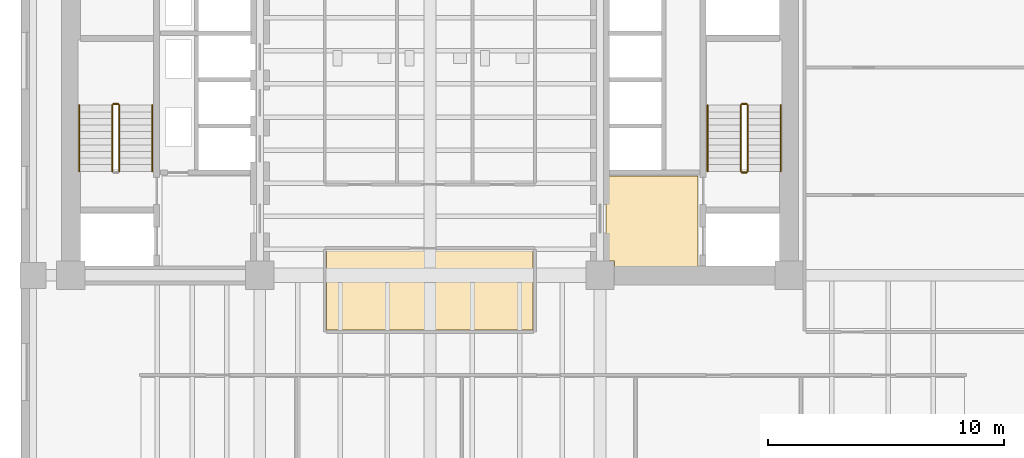
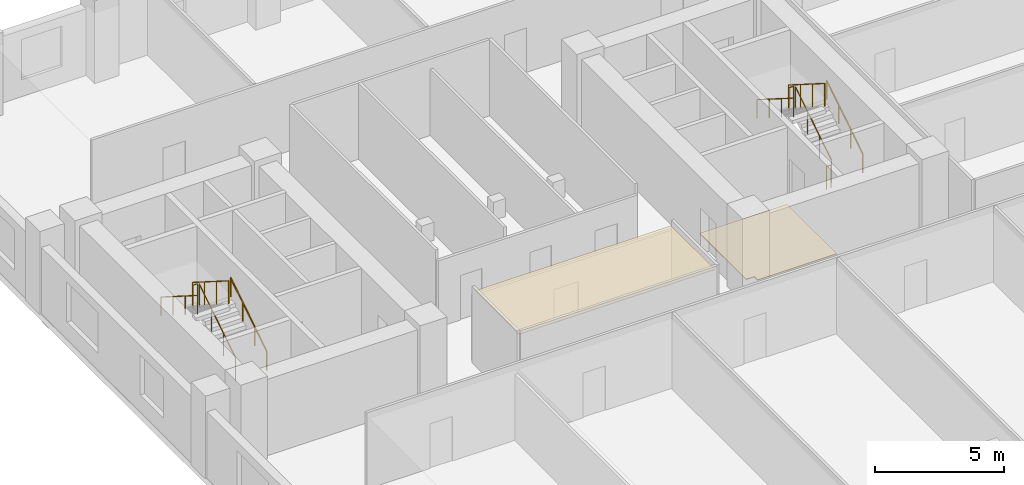
# One storey, part 7 of 9: 11 railings, 2 coverings.
"""IFC4 building model written with IfcOpenShell, lengths in metres."""

import ifcopenshell
import ifcopenshell.guid

model = None  # the IFC model being written
_history = None  # IfcOwnerHistory: only IFC2X3 demands one
_inside = {}  # id of a spatial element -> (the spatial element, [elements in it])
_under = {}  # id of a project, library or spatial element -> (it, [spatial elements below it])
_declared = {}  # id of a project -> (the project, [libraries it declares])
_typed = {}  # id of a type object -> (the type object, [elements of that type])
_made_of = {}  # id of a material, layer set ... -> (it, [elements and type objects made of it])


def new_model(schema):
    """Start an empty IFC model of exactly this schema.

    Asked for "IFC4X3", IfcOpenShell would pick the latest addendum, in which some entities
    have other attributes; the version numbers below select the first issue.
    IFC2X3 requires an IfcOwnerHistory on every rooted entity: one is made here for all.
    """
    global model, _history
    if schema == "IFC4X3":
        model = ifcopenshell.file(schema_version=(4, 3, 0, 0))
    else:
        model = ifcopenshell.file(schema=schema)
    _inside.clear()
    _under.clear()
    _declared.clear()
    _typed.clear()
    _made_of.clear()
    _history = None
    if model.schema == "IFC2X3":
        org = make("IfcOrganization", Name="unknown")
        user = make(
            "IfcPersonAndOrganization",
            ThePerson=make("IfcPerson", FamilyName="unknown"),
            TheOrganization=org,
        )
        app = make(
            "IfcApplication",
            ApplicationDeveloper=org,
            Version="unknown",
            ApplicationFullName="unknown",
            ApplicationIdentifier="unknown",
        )
        _history = make(
            "IfcOwnerHistory",
            OwningUser=user,
            OwningApplication=app,
            ChangeAction="ADDED",
            CreationDate=0,
        )
    return model


def make(cls, **values):
    """One entity of the class cls with the attributes given. An attribute that is None is left unset."""
    return model.create_entity(
        cls, **{name: value for name, value in values.items() if value is not None}
    )


def rooted(cls, **values):
    """An entity with a GlobalId (a new one), such as an element, a storey or a relation."""
    return make(cls, GlobalId=ifcopenshell.guid.new(), OwnerHistory=_history, **values)


def si_unit(unit_type, name, prefix=None):
    """IfcSIUnit, for example si_unit("LENGTHUNIT", "METRE", prefix="MILLI")."""
    return make("IfcSIUnit", UnitType=unit_type, Prefix=prefix, Name=name)


def assignment(units):
    """IfcUnitAssignment: the units of a project."""
    return None if units is None else make("IfcUnitAssignment", Units=units)


def point(xyz):
    """IfcCartesianPoint."""
    return None if xyz is None else make("IfcCartesianPoint", Coordinates=xyz)


def direction(xyz):
    """IfcDirection."""
    return None if xyz is None else make("IfcDirection", DirectionRatios=xyz)


def frame(location, z_axis=None, x_axis=None):
    """IfcAxis2Placement3D, a coordinate frame: its origin and axes. An axis left out is left unset."""
    return make(
        "IfcAxis2Placement3D",
        Location=point(location),
        Axis=direction(z_axis),
        RefDirection=direction(x_axis),
    )


def frame_2d(location, x_axis=None):
    """IfcAxis2Placement2D, a coordinate frame in the plane: its origin and x axis."""
    return make(
        "IfcAxis2Placement2D", Location=point(location), RefDirection=direction(x_axis)
    )


def origin():
    """The frame at (0, 0, 0) with its axes left unset."""
    return frame((0.0, 0.0, 0.0))


def origin_2d():
    """The frame at (0, 0) in the plane with its x axis left unset."""
    return frame_2d((0.0, 0.0))


def place(relative_to, where):
    """IfcLocalPlacement: puts the frame where relative to a parent placement (None: the world)."""
    return make(
        "IfcLocalPlacement", PlacementRelTo=relative_to, RelativePlacement=where
    )


def context(
    kind, dimensions, precision=None, world=None, true_north=None, identifier=None
):
    """IfcGeometricRepresentationContext, for example the 3D "Model" context."""
    return make(
        "IfcGeometricRepresentationContext",
        ContextIdentifier=identifier,
        ContextType=kind,
        CoordinateSpaceDimension=dimensions,
        Precision=precision,
        WorldCoordinateSystem=world,
        TrueNorth=true_north,
    )


def subcontext(parent, identifier, kind, view, scale=None):
    """IfcGeometricRepresentationSubContext, for example "Body" below "Model"."""
    return make(
        "IfcGeometricRepresentationSubContext",
        ContextIdentifier=identifier,
        ContextType=kind,
        ParentContext=parent,
        TargetScale=scale,
        TargetView=view,
    )


def project(units=None, contexts=None):
    """IfcProject with its units and contexts."""
    return rooted(
        "IfcProject",
        Name="project",
        RepresentationContexts=contexts,
        UnitsInContext=assignment(units),
    )


def spatial(cls, under=None, at=None, **own):
    """A site, building, storey or space (cls), placed at a placement, below another one or the project."""
    s = rooted(cls, ObjectPlacement=at, **own)
    if under is not None:
        _under.setdefault(under.id(), (under, []))[1].append(s)
    return s


def polyline(points):
    """IfcPolyline through the points."""
    return make("IfcPolyline", Points=[point(p) for p in points])


def profile(cls, at=None, kind="AREA", **sizes):
    """A parametric profile (cls). Its sizes go by their IFC names, for example OverallWidth=200.0."""
    return make(cls, ProfileType=kind, Position=at, **sizes)


def circle(**sizes):
    """IfcCircleProfileDef."""
    return profile("IfcCircleProfileDef", **sizes)


def outline(outer, holes=None, kind="AREA"):
    """IfcArbitraryClosedProfileDef: a profile drawn as a closed curve; with holes, ...WithVoids."""
    if holes is None:
        return make("IfcArbitraryClosedProfileDef", ProfileType=kind, OuterCurve=outer)
    return make(
        "IfcArbitraryProfileDefWithVoids",
        ProfileType=kind,
        OuterCurve=outer,
        InnerCurves=holes,
    )


def extrude(swept, where, along, depth):
    """IfcExtrudedAreaSolid: the profile swept, set in the frame where, extruded along a direction by depth."""
    return make(
        "IfcExtrudedAreaSolid",
        SweptArea=swept,
        Position=where,
        ExtrudedDirection=direction(along),
        Depth=depth,
    )


def shape(context_of_items, identifier, shape_type, items):
    """IfcShapeRepresentation: the items that make up one representation, for example the "Body"."""
    return make(
        "IfcShapeRepresentation",
        ContextOfItems=context_of_items,
        RepresentationIdentifier=identifier,
        RepresentationType=shape_type,
        Items=items,
    )


def material(Name=None, Category=None):
    """IfcMaterial."""
    return make("IfcMaterial", Name=Name, Category=Category)


def layer(
    of_material, thickness, ventilated=None, Name=None, Category=None, Priority=None
):
    """IfcMaterialLayer: one layer of a wall or slab, of a material (None: an air gap)."""
    return make(
        "IfcMaterialLayer",
        Material=of_material,
        LayerThickness=thickness,
        IsVentilated=ventilated,
        Name=Name,
        Category=Category,
        Priority=Priority,
    )


def layer_set(layers, Name=None):
    """IfcMaterialLayerSet."""
    return make("IfcMaterialLayerSet", MaterialLayers=layers, LayerSetName=Name)


def made_of(thing, what):
    """Note that an element or type object is made of a material, layer set ...; save() writes the relation."""
    if what is not None:
        _made_of.setdefault(what.id(), (what, []))[1].append(thing)
    return thing


def type_object(cls, material=None, **own):
    """A type object (cls), such as IfcWallType, which elements share."""
    return made_of(rooted(cls, **own), material)


def element(
    cls,
    number,
    at=None,
    inside=None,
    cuts=None,
    type_object=None,
    material=None,
    context=None,
    identifier="Body",
    shape_type=None,
    held_by="IfcProductDefinitionShape",
    body=None,
    shapes=None,
    **own,
):
    """One element of the class cls, such as IfcWall. Its Tag is "e" and its number.

    at: its placement. inside: the storey or other place that contains it. cuts: it is an
    opening in that element (IfcRelVoidsElement). A single representation is given by context,
    identifier, shape_type and body (its items); several are given by shapes. held_by: the class
    of the entity that holds the representations. save() writes the other relations.
    """
    e = rooted(cls, Tag="e%d" % number, ObjectPlacement=at, **own)
    if body is not None:
        shapes = [shape(context, identifier, shape_type, body)]
    if shapes is not None:
        e.Representation = make(held_by, Representations=shapes)
    if inside is not None:
        _inside.setdefault(inside.id(), (inside, []))[1].append(e)
    if cuts is not None:
        rooted(
            "IfcRelVoidsElement", RelatingBuildingElement=cuts, RelatedOpeningElement=e
        )
    if type_object is not None:
        _typed.setdefault(type_object.id(), (type_object, []))[1].append(e)
    return made_of(e, material)


def aggregate(whole, parts):
    """IfcRelAggregates: a whole, such as a stair, and the parts it consists of."""
    return rooted("IfcRelAggregates", RelatingObject=whole, RelatedObjects=parts)


def save(model, path):
    """Write the relations noted so far, then the file.

    IfcRelAggregates (storeys below a building ...), IfcRelContainedInSpatialStructure (elements
    in a storey), IfcRelDefinesByType, IfcRelAssociatesMaterial and IfcRelDeclares: one each for
    every whole, place, type object, material and project.
    """
    for whole, parts in _under.values():
        aggregate(whole, parts)
    for where, things in _inside.values():
        rooted(
            "IfcRelContainedInSpatialStructure",
            RelatedElements=things,
            RelatingStructure=where,
        )
    for kind, things in _typed.values():
        rooted("IfcRelDefinesByType", RelatedObjects=things, RelatingType=kind)
    for what, things in _made_of.values():
        rooted("IfcRelAssociatesMaterial", RelatedObjects=things, RelatingMaterial=what)
    for by, libraries in _declared.values():
        rooted("IfcRelDeclares", RelatingContext=by, RelatedDefinitions=libraries)
    model.write(path)


model = new_model("IFC4")

# Units and contexts
model_context = context("Model", 3, precision=1e-05, world=origin(), true_north=direction((0.0, 1.0)))
body_context = subcontext(model_context, "Body", "Model", "MODEL_VIEW")
ifc_project = project(units=[si_unit("LENGTHUNIT", "METRE"), si_unit("AREAUNIT", "SQUARE_METRE"), si_unit("VOLUMEUNIT", "CUBIC_METRE"), si_unit("PLANEANGLEUNIT", "RADIAN"), si_unit("MASSUNIT", "GRAM", prefix="KILO")], contexts=[model_context])

# Site, building, storey
site_placement = place(None, origin())
site = spatial("IfcSite", under=ifc_project, at=site_placement, CompositionType="ELEMENT")
building_placement = place(site_placement, origin())
building = spatial("IfcBuilding", under=site, at=building_placement, Name="Kranthara Brick Stack", CompositionType="ELEMENT")
storey_placement = place(building_placement, frame((0.0, 0.0, 59.39990234375)))
storey = spatial("IfcBuildingStorey", under=building, at=storey_placement, Name="L14", CompositionType="ELEMENT", Elevation=59.39990234375)

# Coverings
ifc_material_1 = material(Name="Perforated mineral-fibre acoustic ceiling tile", Category="other")
ifc_layer_1 = layer(ifc_material_1, 0.02490234375)
ifc_layer_set_1 = layer_set([ifc_layer_1], Name="Perforated mineral-fibre acoustic ceiling tile")
covering_type_1 = type_object("IfcCoveringType", Name="COV-CEIL-ACOUSTIC", PredefinedType="CEILING", material=ifc_layer_set_1)
covering_1_placement = place(storey_placement, frame((0.0, 0.0, 3.330078125)))
element("IfcCovering", 1, at=covering_1_placement, inside=storey, type_object=covering_type_1, Name="L14 L14 Central Executive Briefing Room Acoustic Ceiling", PredefinedType="CEILING", context=body_context, shape_type="SweptSolid", body=[
    extrude(outline(polyline([(32.3701171875, 18.47998046875), (32.3701171875, 21.8798828125), (23.6298828125, 21.8798828125), (23.6298828125, 18.47998046875), (32.3701171875, 18.47998046875)])), origin(), (0.0, 0.0, 1.0), 0.02490234375),
])
ifc_material_2 = material(Name="Honed terrazzo and porcelain floor finish", Category="stone")
ifc_layer_2 = layer(ifc_material_2, 0.030029296875)
ifc_layer_set_2 = layer_set([ifc_layer_2], Name="Honed terrazzo and porcelain floor finish")
covering_type_2 = type_object("IfcCoveringType", Name="COV-FLOR-STONE", PredefinedType="FLOORING", material=ifc_layer_set_2)
covering_2_placement = place(storey_placement, origin())
element("IfcCovering", 2, at=covering_2_placement, inside=storey, type_object=covering_type_2, Name="L14 Lift Lobby Stone Flooring", PredefinedType="FLOORING", context=body_context, shape_type="SweptSolid", body=[
    extrude(outline(polyline([(35.449951171875, 25.0), (39.35009765625, 25.0), (39.35009765625, 21.14990234375), (35.81005859375, 21.14990234375), (35.81005859375, 21.409912109375), (35.449951171875, 21.409912109375), (35.449951171875, 25.0)])), origin(), (0.0, 0.0, 1.0), 0.030029296875),
])

# Railings
ifc_material_3 = material(Name="Painted galvanized steel stair guardrail", Category="steel")
railing_type_1 = type_object("IfcRailingType", Name="RL-STAIR-GUARD-1100", PredefinedType="GUARDRAIL", material=ifc_material_3)
railing_1_placement = place(storey_placement, frame((14.85009765625, 25.199951171875, 0.177490234375)))
element("IfcRailing", 3, at=railing_1_placement, inside=storey, type_object=railing_type_1, Name="L14 ST01 stair guard 1", PredefinedType="GUARDRAIL", context=body_context, shape_type="SweptSolid", body=[
    extrude(circle(Radius=0.02392578125, at=origin_2d()), frame((0.0, 0.0, 1.076171875), z_axis=(0.0, 0.844908973607, 0.534910110503), x_axis=(-1.0, 0.0, 0.0)), (0.0, 0.0, 1.0), 3.31396484375),
    extrude(circle(Radius=0.02099609375, at=origin_2d()), origin(), (0.0, 0.0, 1.0), 1.052001953125),
    extrude(circle(Radius=0.02099609375, at=origin_2d()), frame((0.0, 0.933349609375, 0.5908203125)), (0.0, 0.0, 1.0), 1.052001953125),
    extrude(circle(Radius=0.02099609375, at=origin_2d()), frame((0.0, 1.86669921875, 1.181884765625)), (0.0, 0.0, 1.0), 1.052001953125),
    extrude(circle(Radius=0.02099609375, at=origin_2d()), frame((0.0, 2.800048828125, 1.772705078125)), (0.0, 0.0, 1.0), 1.052001953125),
])
railing_2_placement = place(storey_placement, frame((14.800048828125, 28.050048828125, 1.9501953125)))
element("IfcRailing", 4, at=railing_2_placement, inside=storey, type_object=railing_type_1, Name="L14 ST01 stair guard 2", PredefinedType="GUARDRAIL", context=body_context, shape_type="SweptSolid", body=[
    extrude(circle(Radius=0.02392578125, at=origin_2d()), frame((0.0, 0.0, 1.076171875), z_axis=(-1.0, 0.0, 0.0), x_axis=(0.0, -1.0, 0.0)), (0.0, 0.0, 1.0), 0.199951171875),
    extrude(circle(Radius=0.02099609375, at=origin_2d()), origin(), (0.0, 0.0, 1.0), 1.052001953125),
    extrude(circle(Radius=0.02099609375, at=origin_2d()), frame((-0.199951171875, 0.0, 0.0)), (0.0, 0.0, 1.0), 1.052001953125),
])
railing_3_placement = place(storey_placement, frame((14.550048828125, 28.0, 2.12744140625)))
element("IfcRailing", 5, at=railing_3_placement, inside=storey, type_object=railing_type_1, Name="L14 ST01 stair guard 3", PredefinedType="GUARDRAIL", context=body_context, shape_type="SweptSolid", body=[
    extrude(circle(Radius=0.02392578125, at=origin_2d()), frame((0.0, 0.0, 1.076171875), z_axis=(0.0, -0.844908973607, 0.534910110503), x_axis=(1.0, 0.0, 0.0)), (0.0, 0.0, 1.0), 3.31396484375),
    extrude(circle(Radius=0.02099609375, at=origin_2d()), origin(), (0.0, 0.0, 1.0), 1.052001953125),
    extrude(circle(Radius=0.02099609375, at=origin_2d()), frame((0.0, -0.933349609375, 0.5908203125)), (0.0, 0.0, 1.0), 1.052001953125),
    extrude(circle(Radius=0.02099609375, at=origin_2d()), frame((0.0, -1.86669921875, 1.181884765625)), (0.0, 0.0, 1.0), 1.052001953125),
    extrude(circle(Radius=0.02099609375, at=origin_2d()), frame((0.0, -2.800048828125, 1.772705078125)), (0.0, 0.0, 1.0), 1.052001953125),
])
railing_4_placement = place(storey_placement, frame((41.449951171875, 25.199951171875, 0.177490234375)))
element("IfcRailing", 6, at=railing_4_placement, inside=storey, type_object=railing_type_1, Name="L14 ST02 stair guard 1", PredefinedType="GUARDRAIL", context=body_context, shape_type="SweptSolid", body=[
    extrude(circle(Radius=0.02392578125, at=origin_2d()), frame((0.0, 0.0, 1.076171875), z_axis=(0.0, 0.844908973607, 0.534910110503), x_axis=(-1.0, 0.0, 0.0)), (0.0, 0.0, 1.0), 3.31396484375),
    extrude(circle(Radius=0.02099609375, at=origin_2d()), origin(), (0.0, 0.0, 1.0), 1.052001953125),
    extrude(circle(Radius=0.02099609375, at=origin_2d()), frame((0.0, 0.933349609375, 0.5908203125)), (0.0, 0.0, 1.0), 1.052001953125),
    extrude(circle(Radius=0.02099609375, at=origin_2d()), frame((0.0, 1.86669921875, 1.181884765625)), (0.0, 0.0, 1.0), 1.052001953125),
    extrude(circle(Radius=0.02099609375, at=origin_2d()), frame((0.0, 2.800048828125, 1.772705078125)), (0.0, 0.0, 1.0), 1.052001953125),
])
railing_5_placement = place(storey_placement, frame((41.39990234375, 28.050048828125, 1.9501953125)))
element("IfcRailing", 7, at=railing_5_placement, inside=storey, type_object=railing_type_1, Name="L14 ST02 stair guard 2", PredefinedType="GUARDRAIL", context=body_context, shape_type="SweptSolid", body=[
    extrude(circle(Radius=0.02392578125, at=origin_2d()), frame((0.0, 0.0, 1.076171875), z_axis=(-1.0, 0.0, 0.0), x_axis=(0.0, -1.0, 0.0)), (0.0, 0.0, 1.0), 0.199951171875),
    extrude(circle(Radius=0.02099609375, at=origin_2d()), origin(), (0.0, 0.0, 1.0), 1.052001953125),
    extrude(circle(Radius=0.02099609375, at=origin_2d()), frame((-0.199951171875, 0.0, 0.0)), (0.0, 0.0, 1.0), 1.052001953125),
])
railing_6_placement = place(storey_placement, frame((41.14990234375, 28.0, 2.12744140625)))
element("IfcRailing", 8, at=railing_6_placement, inside=storey, type_object=railing_type_1, Name="L14 ST02 stair guard 3", PredefinedType="GUARDRAIL", context=body_context, shape_type="SweptSolid", body=[
    extrude(circle(Radius=0.02392578125, at=origin_2d()), frame((0.0, 0.0, 1.076171875), z_axis=(0.0, -0.844908973607, 0.534910110503), x_axis=(1.0, 0.0, 0.0)), (0.0, 0.0, 1.0), 3.31396484375),
    extrude(circle(Radius=0.02099609375, at=origin_2d()), origin(), (0.0, 0.0, 1.0), 1.052001953125),
    extrude(circle(Radius=0.02099609375, at=origin_2d()), frame((0.0, -0.933349609375, 0.5908203125)), (0.0, 0.0, 1.0), 1.052001953125),
    extrude(circle(Radius=0.02099609375, at=origin_2d()), frame((0.0, -1.86669921875, 1.181884765625)), (0.0, 0.0, 1.0), 1.052001953125),
    extrude(circle(Radius=0.02099609375, at=origin_2d()), frame((0.0, -2.800048828125, 1.772705078125)), (0.0, 0.0, 1.0), 1.052001953125),
])
railing_7_placement = place(storey_placement, frame((41.39990234375, 25.14990234375, 0.0)))
element("IfcRailing", 9, at=railing_7_placement, inside=storey, type_object=railing_type_1, Name="L14 ST02 stair guard 4", PredefinedType="GUARDRAIL", context=body_context, shape_type="SweptSolid", body=[
    extrude(circle(Radius=0.02392578125, at=origin_2d()), frame((0.0, 0.0, 1.076171875), z_axis=(-1.0, 0.0, 0.0), x_axis=(0.0, -1.0, 0.0)), (0.0, 0.0, 1.0), 0.199951171875),
    extrude(circle(Radius=0.02099609375, at=origin_2d()), origin(), (0.0, 0.0, 1.0), 1.052001953125),
    extrude(circle(Radius=0.02099609375, at=origin_2d()), frame((-0.199951171875, 0.0, 0.0)), (0.0, 0.0, 1.0), 1.052001953125),
])
ifc_material_4 = material(Name="Brushed stainless steel tubular handrail", Category="steel")
railing_type_2 = type_object("IfcRailingType", Name="RL-STAIR-HAND-900", PredefinedType="HANDRAIL", material=ifc_material_4)
railing_8_placement = place(storey_placement, frame((16.25, 25.199951171875, 0.177490234375)))
element("IfcRailing", 10, at=railing_8_placement, inside=storey, type_object=railing_type_2, Name="L14 ST01 stair handrail 1", PredefinedType="HANDRAIL", context=body_context, shape_type="SweptSolid", body=[
    extrude(circle(Radius=0.02392578125, at=origin_2d()), frame((0.0, 0.0, 0.8759765625), z_axis=(0.0, 0.844908973607, 0.534910110503), x_axis=(-1.0, 0.0, 0.0)), (0.0, 0.0, 1.0), 3.31396484375),
    extrude(circle(Radius=0.02099609375, at=origin_2d()), origin(), (0.0, 0.0, 1.0), 0.851806640625),
    extrude(circle(Radius=0.02099609375, at=origin_2d()), frame((0.0, 0.933349609375, 0.5908203125)), (0.0, 0.0, 1.0), 0.851806640625),
    extrude(circle(Radius=0.02099609375, at=origin_2d()), frame((0.0, 1.86669921875, 1.181884765625)), (0.0, 0.0, 1.0), 0.851806640625),
    extrude(circle(Radius=0.02099609375, at=origin_2d()), frame((0.0, 2.800048828125, 1.772705078125)), (0.0, 0.0, 1.0), 0.851806640625),
])
railing_9_placement = place(storey_placement, frame((13.14990234375, 28.0, 2.12744140625)))
element("IfcRailing", 11, at=railing_9_placement, inside=storey, type_object=railing_type_2, Name="L14 ST01 stair handrail 2", PredefinedType="HANDRAIL", context=body_context, shape_type="SweptSolid", body=[
    extrude(circle(Radius=0.02392578125, at=origin_2d()), frame((0.0, 0.0, 0.8759765625), z_axis=(0.0, -0.844908973607, 0.534910110503), x_axis=(1.0, 0.0, 0.0)), (0.0, 0.0, 1.0), 3.31396484375),
    extrude(circle(Radius=0.02099609375, at=origin_2d()), origin(), (0.0, 0.0, 1.0), 0.851806640625),
    extrude(circle(Radius=0.02099609375, at=origin_2d()), frame((0.0, -0.933349609375, 0.5908203125)), (0.0, 0.0, 1.0), 0.851806640625),
    extrude(circle(Radius=0.02099609375, at=origin_2d()), frame((0.0, -1.86669921875, 1.181884765625)), (0.0, 0.0, 1.0), 0.851806640625),
    extrude(circle(Radius=0.02099609375, at=origin_2d()), frame((0.0, -2.800048828125, 1.772705078125)), (0.0, 0.0, 1.0), 0.851806640625),
])
railing_10_placement = place(storey_placement, frame((42.85009765625, 25.199951171875, 0.177490234375)))
element("IfcRailing", 12, at=railing_10_placement, inside=storey, type_object=railing_type_2, Name="L14 ST02 stair handrail 1", PredefinedType="HANDRAIL", context=body_context, shape_type="SweptSolid", body=[
    extrude(circle(Radius=0.02392578125, at=origin_2d()), frame((0.0, 0.0, 0.8759765625), z_axis=(0.0, 0.844908973607, 0.534910110503), x_axis=(-1.0, 0.0, 0.0)), (0.0, 0.0, 1.0), 3.31396484375),
    extrude(circle(Radius=0.02099609375, at=origin_2d()), origin(), (0.0, 0.0, 1.0), 0.851806640625),
    extrude(circle(Radius=0.02099609375, at=origin_2d()), frame((0.0, 0.933349609375, 0.5908203125)), (0.0, 0.0, 1.0), 0.851806640625),
    extrude(circle(Radius=0.02099609375, at=origin_2d()), frame((0.0, 1.86669921875, 1.181884765625)), (0.0, 0.0, 1.0), 0.851806640625),
    extrude(circle(Radius=0.02099609375, at=origin_2d()), frame((0.0, 2.800048828125, 1.772705078125)), (0.0, 0.0, 1.0), 0.851806640625),
])
railing_11_placement = place(storey_placement, frame((39.75, 28.0, 2.12744140625)))
element("IfcRailing", 13, at=railing_11_placement, inside=storey, type_object=railing_type_2, Name="L14 ST02 stair handrail 2", PredefinedType="HANDRAIL", context=body_context, shape_type="SweptSolid", body=[
    extrude(circle(Radius=0.02392578125, at=origin_2d()), frame((0.0, 0.0, 0.8759765625), z_axis=(0.0, -0.844908973607, 0.534910110503), x_axis=(1.0, 0.0, 0.0)), (0.0, 0.0, 1.0), 3.31396484375),
    extrude(circle(Radius=0.02099609375, at=origin_2d()), origin(), (0.0, 0.0, 1.0), 0.851806640625),
    extrude(circle(Radius=0.02099609375, at=origin_2d()), frame((0.0, -0.933349609375, 0.5908203125)), (0.0, 0.0, 1.0), 0.851806640625),
    extrude(circle(Radius=0.02099609375, at=origin_2d()), frame((0.0, -1.86669921875, 1.181884765625)), (0.0, 0.0, 1.0), 0.851806640625),
    extrude(circle(Radius=0.02099609375, at=origin_2d()), frame((0.0, -2.800048828125, 1.772705078125)), (0.0, 0.0, 1.0), 0.851806640625),
])

save(model, "model.ifc")
